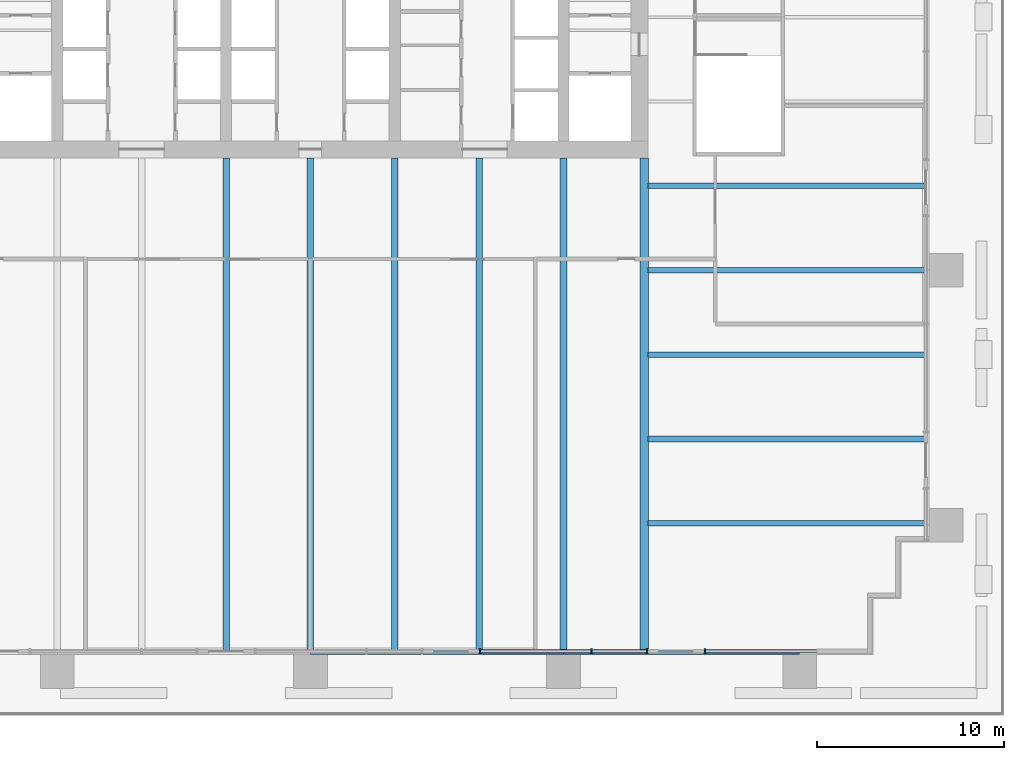
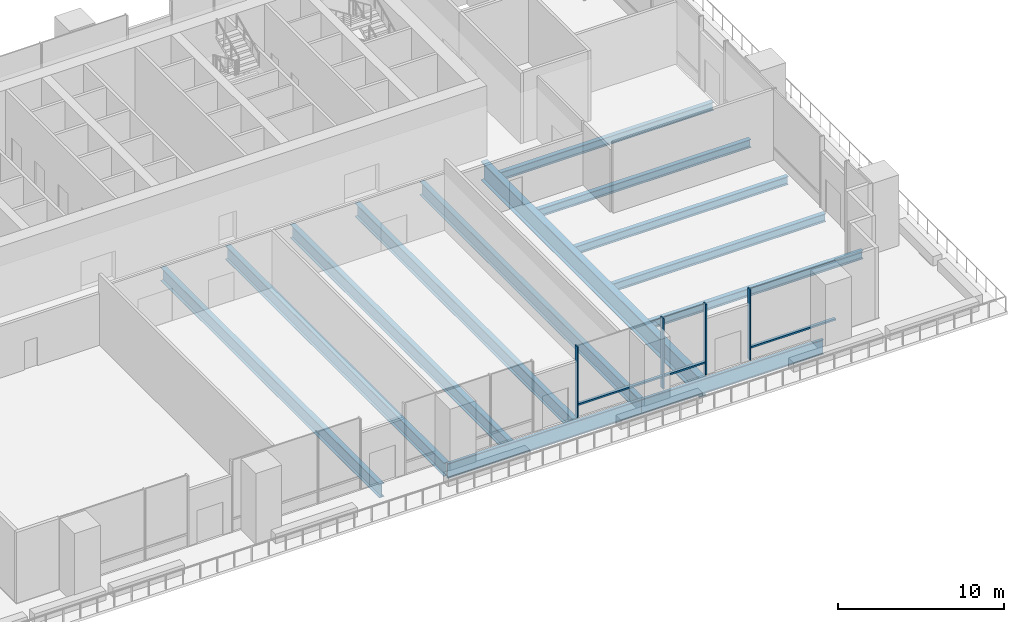
# One storey, part 3 of 16: 13 beams, 7 members, 2 elements without a shape of their own.
"""IFC4 building model written with IfcOpenShell, lengths in metres."""

from ifc_helpers import new_model, si_unit, direction, frame, origin, origin_2d, place, context, subcontext, project, spatial, rectangle, i_section, extrude, material, layer, layer_set, material_profile, profile_set, type_object, element, aggregate, save


model = new_model("IFC4")

# Units and contexts
model_context = context("Model", 3, precision=1e-05, world=origin(), true_north=direction((0.0, 1.0)))
body_context = subcontext(model_context, "Body", "Model", "MODEL_VIEW")
ifc_project = project(units=[si_unit("LENGTHUNIT", "METRE"), si_unit("AREAUNIT", "SQUARE_METRE"), si_unit("VOLUMEUNIT", "CUBIC_METRE"), si_unit("PLANEANGLEUNIT", "RADIAN"), si_unit("MASSUNIT", "GRAM", prefix="KILO")], contexts=[model_context])

# Site, building, storey
site_placement = place(None, origin())
site = spatial("IfcSite", under=ifc_project, at=site_placement, CompositionType="ELEMENT")
building_placement = place(site_placement, origin())
building = spatial("IfcBuilding", under=site, at=building_placement, Name="Rattan Terrace Tower", CompositionType="ELEMENT")
storey_placement = place(building_placement, frame((0.0, 0.0, 27.0)))
storey = spatial("IfcBuildingStorey", under=building, at=storey_placement, Name="L05", CompositionType="ELEMENT", Elevation=27.0)

# Beams
ifc_material_1 = material(Name="Steel S460", Category="steel")
ifc_material_profile_1 = material_profile(ifc_material_1, i_section(OverallWidth=0.449951171875, OverallDepth=1.39990234375, WebThickness=0.02197265625, FlangeThickness=0.054931640625, at=origin_2d()), Name="PG 1400x450-22-55")
ifc_profile_set_1 = profile_set([ifc_material_profile_1], Name="Steel S460")
beam_type_1 = type_object("IfcBeamType", Name="Frame core girder PG 1400x450-22-55", PredefinedType="BEAM", material=ifc_profile_set_1)
beam_1_placement = place(storey_placement, frame((17.800048828125, -33.820068359375, -0.89990234375), z_axis=(0.0, 1.0, 0.0), x_axis=(-1.0, 0.0, 0.0)))
element("IfcBeam", 1, at=beam_1_placement, inside=storey, type_object=beam_type_1, Name="gdr-L05-014", PredefinedType="BEAM", context=body_context, shape_type="SweptSolid", body=[
    extrude(i_section(OverallWidth=0.449951171875, OverallDepth=1.39990234375, WebThickness=0.02197265625, FlangeThickness=0.054931640625, at=origin_2d()), origin(), (0.0, 0.0, 1.0), 26.320068359375),
])
ifc_material_2 = material(Name="Steel S460", Category="steel")
ifc_material_profile_2 = material_profile(ifc_material_2, i_section(OverallWidth=0.179931640625, OverallDepth=1.10009765625, WebThickness=0.01611328125, FlangeThickness=0.050048828125, at=origin_2d()), Name="PG 1100x180-16-50")
ifc_profile_set_2 = profile_set([ifc_material_profile_2], Name="Steel S460")
beam_type_2 = type_object("IfcBeamType", Name="Frame edge girder PG 1100x180-16-50", PredefinedType="SPANDREL", material=ifc_profile_set_2)
beam_2_placement = place(storey_placement, frame((0.0, -33.909912109375, -0.75), z_axis=(1.0, 0.0, 0.0), x_axis=(0.0, 1.0, 0.0)))
element("IfcBeam", 2, at=beam_2_placement, inside=storey, type_object=beam_type_2, Name="gdr-L05-003", PredefinedType="SPANDREL", context=body_context, shape_type="SweptSolid", body=[
    extrude(i_section(OverallWidth=0.179931640625, OverallDepth=1.10009765625, WebThickness=0.01611328125, FlangeThickness=0.050048828125, at=origin_2d()), origin(), (0.0, 0.0, 1.0), 13.5),
])
beam_3_placement = place(storey_placement, frame((13.5, -33.909912109375, -0.75), z_axis=(1.0, 0.0, 0.0), x_axis=(0.0, 1.0, 0.0)))
element("IfcBeam", 3, at=beam_3_placement, inside=storey, type_object=beam_type_2, Name="gdr-L05-004", PredefinedType="SPANDREL", context=body_context, shape_type="SweptSolid", body=[
    extrude(i_section(OverallWidth=0.179931640625, OverallDepth=1.10009765625, WebThickness=0.01611328125, FlangeThickness=0.050048828125, at=origin_2d()), origin(), (0.0, 0.0, 1.0), 12.60009765625),
])
ifc_material_3 = material(Name="Steel S355", Category="steel")
ifc_material_profile_3 = material_profile(ifc_material_3, i_section(OverallWidth=0.300048828125, OverallDepth=0.60009765625, WebThickness=0.015380859375, FlangeThickness=0.030029296875, FilletRadius=0.027099609375, at=origin_2d()), Name="HE 600 B")
ifc_profile_set_3 = profile_set([ifc_material_profile_3], Name="Steel S355")
beam_type_3 = type_object("IfcBeamType", Name="Frame floor beam HE 600 B", PredefinedType="JOIST", material=ifc_profile_set_3)
for number, where, z_axis, x_axis, name in (
    (4, (18.0, -27.0, -0.5), (1.0, 0.0, 0.0), (0.0, 1.0, 0.0), "bm-L05-011"),
    (5, (18.0, -22.5, -0.5), (1.0, 0.0, 0.0), (0.0, 1.0, 0.0), "bm-L05-013"),
    (6, (18.0, -18.0, -0.5), (1.0, 0.0, 0.0), (0.0, 1.0, 0.0), "bm-L05-015"),
    (7, (18.0, -13.5, -0.5), (1.0, 0.0, 0.0), (0.0, 1.0, 0.0), "bm-L05-017"),
    (8, (18.0, -9.0, -0.5), (1.0, 0.0, 0.0), (0.0, 1.0, 0.0), "bm-L05-019"),
):
    element("IfcBeam", number, at=place(storey_placement, frame(where, z_axis=z_axis, x_axis=x_axis)), inside=storey, type_object=beam_type_3, Name=name, PredefinedType="JOIST", context=body_context, shape_type="SweptSolid", body=[
        extrude(i_section(OverallWidth=0.300048828125, OverallDepth=0.60009765625, WebThickness=0.015380859375, FlangeThickness=0.030029296875, FilletRadius=0.027099609375, at=origin_2d()), origin(), (0.0, 0.0, 1.0), 14.820068359375),
    ])
ifc_material_4 = material(Name="Steel S460", Category="steel")
ifc_material_profile_4 = material_profile(ifc_material_4, i_section(OverallWidth=0.35009765625, OverallDepth=1.0, WebThickness=0.01611328125, FlangeThickness=0.044921875, at=origin_2d()), Name="PG 1000x350-16-45")
ifc_profile_set_4 = profile_set([ifc_material_profile_4], Name="Steel S460")
beam_type_4 = type_object("IfcBeamType", Name="Frame floor beam PG 1000x350-16-45", PredefinedType="JOIST", material=ifc_profile_set_4)
for number, where, z_axis, x_axis, name in (
    (9, (-4.5, -33.820068359375, -0.699951171875), (0.0, 1.0, 0.0), (-1.0, 0.0, 0.0), "bm-L05-005"),
    (10, (0.0, -33.820068359375, -0.699951171875), (0.0, 1.0, 0.0), (-1.0, 0.0, 0.0), "bm-L05-006"),
    (11, (4.5, -33.820068359375, -0.699951171875), (0.0, 1.0, 0.0), (-1.0, 0.0, 0.0), "bm-L05-007"),
    (12, (9.0, -33.820068359375, -0.699951171875), (0.0, 1.0, 0.0), (-1.0, 0.0, 0.0), "bm-L05-008"),
    (13, (13.5, -33.820068359375, -0.699951171875), (0.0, 1.0, 0.0), (-1.0, 0.0, 0.0), "bm-L05-009"),
):
    element("IfcBeam", number, at=place(storey_placement, frame(where, z_axis=z_axis, x_axis=x_axis)), inside=storey, type_object=beam_type_4, Name=name, PredefinedType="JOIST", context=body_context, shape_type="SweptSolid", body=[
        extrude(i_section(OverallWidth=0.35009765625, OverallDepth=1.0, WebThickness=0.01611328125, FlangeThickness=0.044921875, at=origin_2d()), origin(), (0.0, 0.0, 1.0), 26.320068359375),
    ])

# Curtain wall, members
ifc_material_5 = material(Name="Steel fins, aluminium and glass", Category="steel")
ifc_layer = layer(ifc_material_5, 0.300048828125)
ifc_layer_set = layer_set([ifc_layer], Name="Sky Lobby Stick Curtain Wall")
curtain_wall_type = type_object("IfcCurtainWallType", Name="Sky Lobby Stick Curtain Wall", PredefinedType="NOTDEFINED", material=ifc_layer_set)
curtain_wall_1_placement = place(storey_placement, origin())
curtain_wall_1 = element("IfcCurtainWall", 14, at=curtain_wall_1_placement, inside=storey, type_object=curtain_wall_type, Name="Sky lobby curtain wall L05-15", PredefinedType="NOTDEFINED")
ifc_material_6 = material(Name="Steel S355", Category="steel")
ifc_material_profile_5 = material_profile(ifc_material_6, rectangle(XDim=0.080078125, YDim=0.300048828125, at=origin_2d()), Name="Steel S355 80x300")
ifc_profile_set_5 = profile_set([ifc_material_profile_5], Name="Steel S355")
member_type_1 = type_object("IfcMemberType", Name="Sky Lobby CW Fin 80x300", PredefinedType="MULLION", material=ifc_profile_set_5)
member_1_placement = place(storey_placement, frame((9.0400390625, -33.830078125, 0.0), z_axis=(0.0, 0.0, 1.0), x_axis=(1.0, 0.0, 0.0)))
member_1 = element("IfcMember", 15, at=member_1_placement, type_object=member_type_1, Name="Mullion cwl-L05-015.1", PredefinedType="MULLION", context=body_context, shape_type="SweptSolid", body=[
    extrude(rectangle(XDim=0.080078125, YDim=0.300048828125, at=origin_2d()), origin(), (0.0, 0.0, 1.0), 5.199951171875),
])
member_2_placement = place(storey_placement, frame((15.0, -33.830078125, 0.0), z_axis=(0.0, 0.0, 1.0), x_axis=(1.0, 0.0, 0.0)))
member_2 = element("IfcMember", 16, at=member_2_placement, type_object=member_type_1, Name="Mullion cwl-L05-015.2", PredefinedType="MULLION", context=body_context, shape_type="SweptSolid", body=[
    extrude(rectangle(XDim=0.080078125, YDim=0.300048828125, at=origin_2d()), origin(), (0.0, 0.0, 1.0), 5.199951171875),
])
member_3_placement = place(storey_placement, frame((17.9599609375, -33.830078125, 0.0), z_axis=(0.0, 0.0, 1.0), x_axis=(1.0, 0.0, 0.0)))
member_3 = element("IfcMember", 17, at=member_3_placement, type_object=member_type_1, Name="Mullion cwl-L05-015.3", PredefinedType="MULLION", context=body_context, shape_type="SweptSolid", body=[
    extrude(rectangle(XDim=0.080078125, YDim=0.300048828125, at=origin_2d()), origin(), (0.0, 0.0, 1.0), 5.199951171875),
])

# Curtain wall, member
curtain_wall_2_placement = place(storey_placement, origin())
curtain_wall_2 = element("IfcCurtainWall", 18, at=curtain_wall_2_placement, inside=storey, type_object=curtain_wall_type, Name="Sky lobby curtain wall L05-16", PredefinedType="NOTDEFINED")
member_4_placement = place(storey_placement, frame((21.0400390625, -33.830078125, 0.0), z_axis=(0.0, 0.0, 1.0), x_axis=(1.0, 0.0, 0.0)))
member_4 = element("IfcMember", 19, at=member_4_placement, type_object=member_type_1, Name="Mullion cwl-L05-016.1", PredefinedType="MULLION", context=body_context, shape_type="SweptSolid", body=[
    extrude(rectangle(XDim=0.080078125, YDim=0.300048828125, at=origin_2d()), origin(), (0.0, 0.0, 1.0), 5.199951171875),
])

# Member
ifc_material_7 = material(Name="Aluminium", Category="aluminium")
ifc_material_profile_6 = material_profile(ifc_material_7, rectangle(XDim=0.199951171875, YDim=0.1201171875, at=origin_2d()), Name="Aluminium 200x120")
ifc_profile_set_6 = profile_set([ifc_material_profile_6], Name="Aluminium")
member_type_2 = type_object("IfcMemberType", Name="Sky Lobby CW Transom 200x120", PredefinedType="USERDEFINED", material=ifc_profile_set_6)
member_5_placement = place(storey_placement, frame((9.080078125, -33.830078125, 0.89990234375), z_axis=(1.0, 0.0, 0.0), x_axis=(0.0, 1.0, 0.0)))
member_5 = element("IfcMember", 20, at=member_5_placement, type_object=member_type_2, Name="Transom cwl-L05-015.1", ObjectType="TRANSOM", PredefinedType="USERDEFINED", context=body_context, shape_type="SweptSolid", body=[
    extrude(rectangle(XDim=0.199951171875, YDim=0.1201171875, at=origin_2d()), origin(), (0.0, 0.0, 1.0), 5.8798828125),
])

member_6_placement = place(storey_placement, frame((15.0400390625, -33.830078125, 0.89990234375), z_axis=(1.0, 0.0, 0.0), x_axis=(0.0, 1.0, 0.0)))
member_6 = element("IfcMember", 21, at=member_6_placement, type_object=member_type_2, Name="Transom cwl-L05-015.2", ObjectType="TRANSOM", PredefinedType="USERDEFINED", context=body_context, shape_type="SweptSolid", body=[
    extrude(rectangle(XDim=0.199951171875, YDim=0.1201171875, at=origin_2d()), origin(), (0.0, 0.0, 1.0), 2.8798828125),
])

aggregate(curtain_wall_1, [member_1, member_2, member_3, member_5, member_6])

member_7_placement = place(storey_placement, frame((21.080078125, -33.830078125, 0.89990234375), z_axis=(1.0, 0.0, 0.0), x_axis=(0.0, 1.0, 0.0)))
member_7 = element("IfcMember", 22, at=member_7_placement, type_object=member_type_2, Name="Transom cwl-L05-016.1", ObjectType="TRANSOM", PredefinedType="USERDEFINED", context=body_context, shape_type="SweptSolid", body=[
    extrude(rectangle(XDim=0.199951171875, YDim=0.1201171875, at=origin_2d()), origin(), (0.0, 0.0, 1.0), 5.919921875),
])

aggregate(curtain_wall_2, [member_4, member_7])

save(model, "model.ifc")
